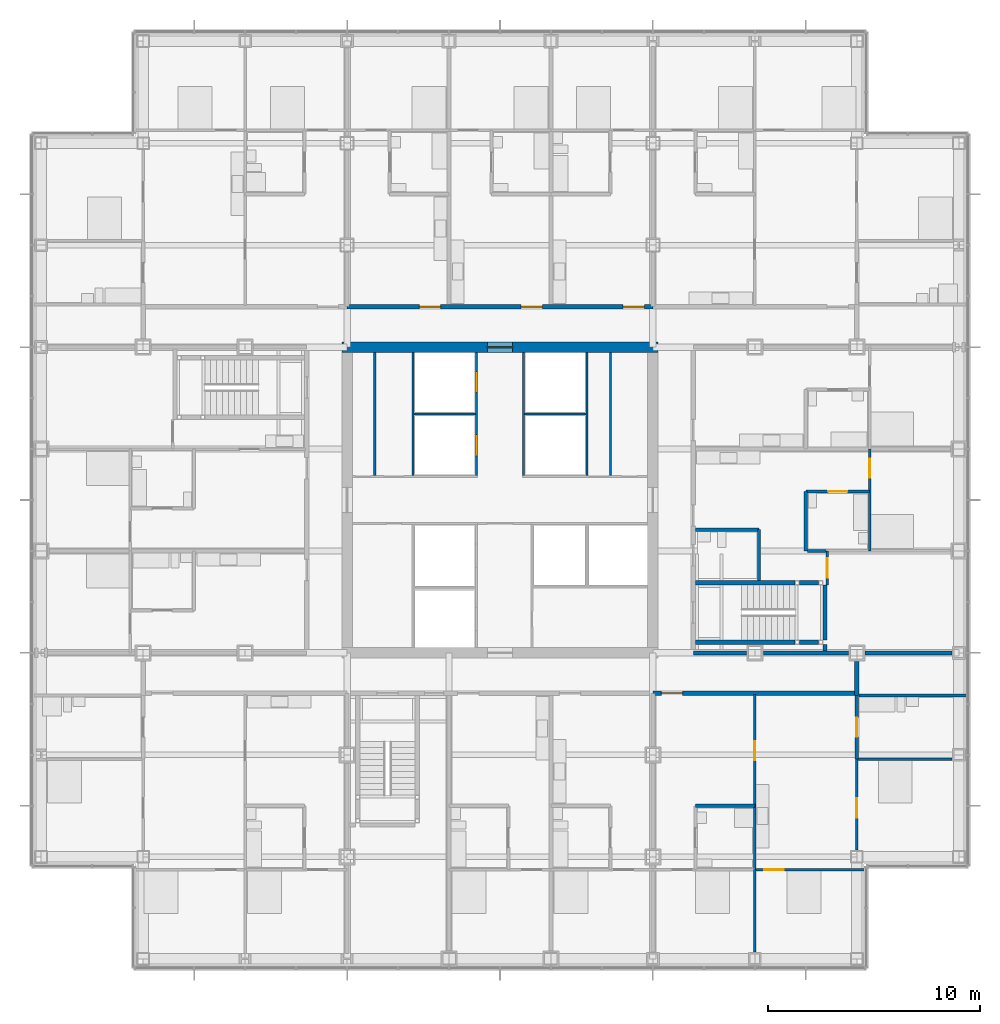
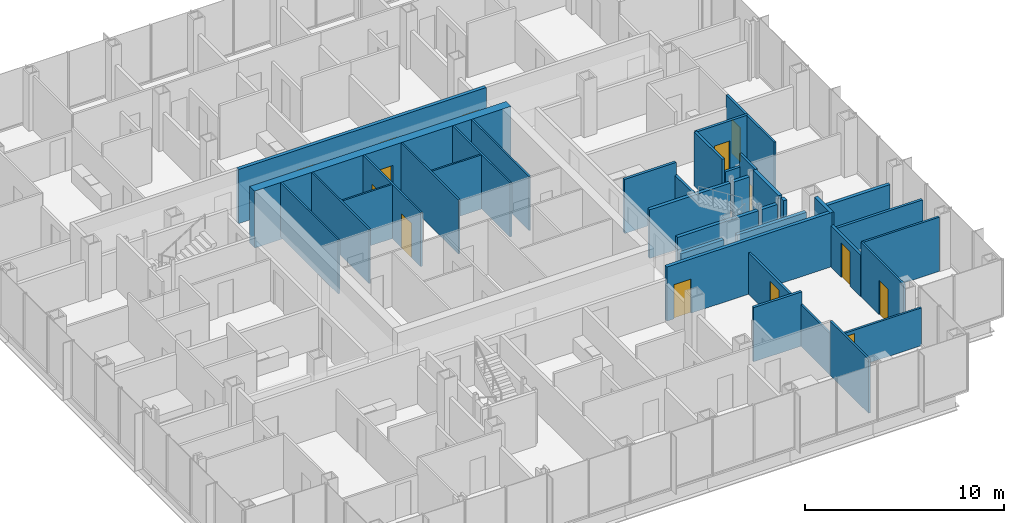
# One storey, part 16 of 21: 36 walls, 14 doors, 14 openings.
"""IFC4 building model written with IfcOpenShell, lengths in metres."""

from ifc_helpers import new_model, si_unit, direction, frame, frame_2d, origin, place, context, subcontext, project, spatial, rectangle, extrude, material, layer, layer_set, type_object, element, fill, save


model = new_model("IFC4")

# Units and contexts
model_context = context("Model", 3, precision=1e-05, world=origin(), true_north=direction((0.0, 1.0)))
body_context = subcontext(model_context, "Body", "Model", "MODEL_VIEW")
ifc_project = project(units=[si_unit("LENGTHUNIT", "METRE"), si_unit("AREAUNIT", "SQUARE_METRE"), si_unit("VOLUMEUNIT", "CUBIC_METRE"), si_unit("PLANEANGLEUNIT", "RADIAN"), si_unit("MASSUNIT", "GRAM", prefix="KILO")], contexts=[model_context])

# Site, building, storey
site_placement = place(None, origin())
site = spatial("IfcSite", under=ifc_project, at=site_placement, CompositionType="ELEMENT")
building_placement = place(site_placement, origin())
building = spatial("IfcBuilding", under=site, at=building_placement, Name="Kvirike Care Tower", CompositionType="ELEMENT")
storey_placement = place(building_placement, frame((0.0, 0.0, 48.0)))
storey = spatial("IfcBuildingStorey", under=building, at=storey_placement, Name="L12", CompositionType="ELEMENT", Elevation=48.0)

# Wall
ifc_material_1 = material(Name="Moisture-resistant board partition", Category="gypsum")
ifc_layer_1 = layer(ifc_material_1, 0.14990234375)
ifc_layer_set_1 = layer_set([ifc_layer_1], Name="BATHROOM WALL 150")
wall_type_1 = type_object("IfcWallType", Name="BATHROOM WALL 150", PredefinedType="PARTITIONING", material=ifc_layer_set_1)
wall_1_placement = place(storey_placement, frame((30.800048828125, 21.60009765625, 0.0), z_axis=(0.0, 0.0, 1.0), x_axis=(1.0, 0.0, 0.0)))
element("IfcWall", 1, at=wall_1_placement, inside=storey, type_object=wall_type_1, Name="Bathroom Wall 150 L12", PredefinedType="PARTITIONING", context=body_context, shape_type="SweptSolid", body=[
    extrude(rectangle(XDim=2.800048828125, YDim=0.14990234375, at=frame_2d((1.39990234375, 0.0))), origin(), (0.0, 0.0, 1.0), 3.330078125),
])

# Wall, opening, door
wall_2_placement = place(storey_placement, frame((38.39990234375, 23.800048828125, 0.0), z_axis=(0.0, 0.0, 1.0), x_axis=(0.0, 1.0, 0.0)))
wall_2 = element("IfcWall", 2, at=wall_2_placement, inside=storey, type_object=wall_type_1, Name="Bathroom Wall 150 L12", PredefinedType="PARTITIONING", context=body_context, shape_type="SweptSolid", body=[
    extrude(rectangle(XDim=3.0, YDim=0.14990234375, at=frame_2d((1.5, 0.0))), origin(), (0.0, 0.0, 1.0), 2.550048828125),
])
opening_1_placement = place(wall_2_placement, frame((1.050048828125, 0.0, 0.0)))
opening_1 = element("IfcOpeningElement", 3, at=opening_1_placement, cuts=wall_2, Name="Opening 12-042", PredefinedType="OPENING", context=body_context, shape_type="SweptSolid", body=[
    extrude(rectangle(XDim=0.89990234375, YDim=2.10009765625, at=frame_2d((0.449951171875, 1.050048828125))), frame((0.0, 0.08544921875, 0.0), z_axis=(0.0, -1.0, 0.0), x_axis=(1.0, 0.0, 0.0)), (0.0, 0.0, 1.0), 0.1708984375),
])
ifc_material_2 = material(Name="Timber door set", Category="wood")
door_type_1 = type_object("IfcDoorType", Name="BATHROOM DOOR 900", OperationType="SINGLE_SWING_RIGHT", PredefinedType="DOOR", material=ifc_material_2)
door_1_placement = place(opening_1_placement, frame((0.89990234375, 0.0, 0.0), z_axis=(0.0, 0.0, 1.0), x_axis=(-1.0, 0.0, 0.0)))
door_1 = element("IfcDoor", 4, at=door_1_placement, inside=storey, type_object=door_type_1, Name="Bathroom door", OperationType="SINGLE_SWING_LEFT", OverallHeight=2.10009765625, OverallWidth=0.89990234375, PredefinedType="DOOR", context=body_context, shape_type="SweptSolid", body=[
    extrude(rectangle(XDim=0.89990234375, YDim=2.10009765625, at=frame_2d((0.449951171875, 1.050048828125))), frame((0.0, 0.02197265625, 0.0), z_axis=(0.0, -1.0, 0.0), x_axis=(1.0, 0.0, 0.0)), (0.0, 0.0, 1.0), 0.0439453125),
])
fill(opening_1, door_1)

# Walls
wall_3_placement = place(storey_placement, frame((33.800048828125, 32.199951171875, 0.0), z_axis=(0.0, 0.0, 1.0), x_axis=(0.0, 1.0, 0.0)))
element("IfcWall", 5, at=wall_3_placement, inside=storey, type_object=wall_type_1, Name="Bathroom Wall 150 L12", PredefinedType="PARTITIONING", context=body_context, shape_type="SweptSolid", body=[
    extrude(rectangle(XDim=2.400146484375, YDim=0.14990234375, at=frame_2d((1.2001953125, 0.0))), origin(), (0.0, 0.0, 1.0), 2.550048828125),
])
wall_4_placement = place(storey_placement, frame((33.800048828125, 34.60009765625, 0.0), z_axis=(0.0, 0.0, 1.0), x_axis=(-1.0, 0.0, 0.0)))
element("IfcWall", 6, at=wall_4_placement, inside=storey, type_object=wall_type_1, Name="Bathroom Wall 150 L12", PredefinedType="PARTITIONING", context=body_context, shape_type="SweptSolid", body=[
    extrude(rectangle(XDim=3.0, YDim=0.14990234375, at=frame_2d((1.5, 0.0))), origin(), (0.0, 0.0, 1.0), 3.330078125),
])

# Wall, opening, door
wall_5_placement = place(storey_placement, frame((39.0, 36.39990234375, 0.0), z_axis=(0.0, 0.0, 1.0), x_axis=(-1.0, 0.0, 0.0)))
wall_5 = element("IfcWall", 7, at=wall_5_placement, inside=storey, type_object=wall_type_1, Name="Bathroom Wall 150 L12", PredefinedType="PARTITIONING", context=body_context, shape_type="SweptSolid", body=[
    extrude(rectangle(XDim=3.0, YDim=0.14990234375, at=frame_2d((1.5, 0.0))), origin(), (0.0, 0.0, 1.0), 3.330078125),
])
opening_2_placement = place(wall_5_placement, frame((1.050048828125, 0.0, 0.0)))
opening_2 = element("IfcOpeningElement", 8, at=opening_2_placement, cuts=wall_5, Name="Opening 12-048", PredefinedType="OPENING", context=body_context, shape_type="SweptSolid", body=[
    extrude(rectangle(XDim=0.89990234375, YDim=2.10009765625, at=frame_2d((0.449951171875, 1.050048828125))), frame((0.0, 0.08544921875, 0.0), z_axis=(0.0, -1.0, 0.0), x_axis=(1.0, 0.0, 0.0)), (0.0, 0.0, 1.0), 0.1708984375),
])
door_2_placement = place(opening_2_placement, origin())
door_2 = element("IfcDoor", 9, at=door_2_placement, inside=storey, type_object=door_type_1, Name="Bathroom door", OperationType="SINGLE_SWING_RIGHT", OverallHeight=2.10009765625, OverallWidth=0.89990234375, PredefinedType="DOOR", context=body_context, shape_type="SweptSolid", body=[
    extrude(rectangle(XDim=0.89990234375, YDim=2.10009765625, at=frame_2d((0.449951171875, 1.050048828125))), frame((0.0, 0.02197265625, 0.0), z_axis=(0.0, -1.0, 0.0), x_axis=(1.0, 0.0, 0.0)), (0.0, 0.0, 1.0), 0.0439453125),
])
fill(opening_2, door_2)

# Walls
wall_6_placement = place(storey_placement, frame((36.0, 33.60009765625, 0.0), z_axis=(0.0, 0.0, 1.0), x_axis=(0.0, 1.0, 0.0)))
element("IfcWall", 10, at=wall_6_placement, inside=storey, type_object=wall_type_1, Name="Bathroom Wall 150 L12", PredefinedType="PARTITIONING", context=body_context, shape_type="SweptSolid", body=[
    extrude(rectangle(XDim=2.7998046875, YDim=0.14990234375, at=frame_2d((1.39990234375, 0.0))), origin(), (0.0, 0.0, 1.0), 3.330078125),
])
wall_7_placement = place(storey_placement, frame((38.5, 26.800048828125, 0.0), z_axis=(0.0, 0.0, 1.0), x_axis=(1.0, 0.0, 0.0)))
element("IfcWall", 11, at=wall_7_placement, inside=storey, type_object=wall_type_1, Name="Bathroom Wall 150 L12", PredefinedType="PARTITIONING", context=body_context, shape_type="SweptSolid", body=[
    extrude(rectangle(XDim=5.1298828125, YDim=0.14990234375, at=frame_2d((2.56494140625, 0.0))), origin(), (0.0, 0.0, 1.0), 2.320068359375),
])
wall_8_placement = place(storey_placement, frame((36.93994140625, 33.60009765625, 0.0), z_axis=(0.0, 0.0, 1.0), x_axis=(-1.0, 0.0, 0.0)))
element("IfcWall", 12, at=wall_8_placement, inside=storey, type_object=wall_type_1, Name="Bathroom Wall 150 L12", PredefinedType="PARTITIONING", context=body_context, shape_type="SweptSolid", body=[
    extrude(rectangle(XDim=0.864990234375, YDim=0.14990234375, at=frame_2d((0.4326171875, 0.0))), origin(), (0.0, 0.0, 1.0), 2.550048828125),
])

# Wall, opening, door
ifc_material_3 = material(Name="Concrete C60/75", Category="concrete")
ifc_layer_2 = layer(ifc_material_3, 0.5)
ifc_layer_set_2 = layer_set([ifc_layer_2], Name="CORE WALL 500 C60-75")
wall_type_2 = type_object("IfcWallType", Name="CORE WALL 500 C60-75", PredefinedType="SHEAR", material=ifc_layer_set_2)
wall_9_placement = place(storey_placement, frame((29.050048828125, 43.199951171875, -0.169921875), z_axis=(0.0, 0.0, 1.0), x_axis=(-1.0, 0.0, 0.0)))
wall_9 = element("IfcWall", 13, at=wall_9_placement, inside=storey, type_object=wall_type_2, Name="Core wall N L12", PredefinedType="SHEAR", context=body_context, shape_type="SweptSolid", body=[
    extrude(rectangle(XDim=14.900146484375, YDim=0.5, at=frame_2d((7.4501953125, 0.0))), origin(), (0.0, 0.0, 1.0), 3.5),
])
opening_3_placement = place(wall_9_placement, frame((6.85009765625, 0.0, 0.169921875)))
opening_3 = element("IfcOpeningElement", 14, at=opening_3_placement, cuts=wall_9, Name="Opening 12-078", PredefinedType="OPENING", context=body_context, shape_type="SweptSolid", body=[
    extrude(rectangle(XDim=1.199951171875, YDim=2.10009765625, at=frame_2d((0.60009765625, 1.050048828125))), frame((0.0, 0.260498046875, 0.0), z_axis=(0.0, -1.0, 0.0), x_axis=(1.0, 0.0, 0.0)), (0.0, 0.0, 1.0), 0.52099609375),
])
ifc_material_4 = material(Name="Timber door set", Category="wood")
door_type_2 = type_object("IfcDoorType", Name="CORE DOOR 1200", OperationType="SINGLE_SWING_LEFT", PredefinedType="DOOR", material=ifc_material_4)
door_3_placement = place(opening_3_placement, origin())
door_3 = element("IfcDoor", 15, at=door_3_placement, inside=storey, type_object=door_type_2, Name="Core door N L12", OperationType="SINGLE_SWING_LEFT", OverallHeight=2.10009765625, OverallWidth=1.199951171875, PredefinedType="DOOR", context=body_context, shape_type="SweptSolid", body=[
    extrude(rectangle(XDim=1.199951171875, YDim=2.10009765625, at=frame_2d((0.60009765625, 1.050048828125))), frame((0.0, 0.02685546875, 0.0), z_axis=(0.0, -1.0, 0.0), x_axis=(1.0, 0.0, 0.0)), (0.0, 0.0, 1.0), 0.053955078125),
])
fill(opening_3, door_3)

# Wall, openings, doors
ifc_material_5 = material(Name="Plasterboard corridor wall", Category="gypsum")
ifc_layer_3 = layer(ifc_material_5, 0.199951171875)
ifc_layer_set_3 = layer_set([ifc_layer_3], Name="CORRIDOR WALL 200")
wall_type_3 = type_object("IfcWallType", Name="CORRIDOR WALL 200", PredefinedType="PARTITIONING", material=ifc_layer_set_3)
wall_10_placement = place(storey_placement, frame((28.800048828125, 45.10009765625, 0.0), z_axis=(0.0, 0.0, 1.0), x_axis=(-1.0, 0.0, 0.0)))
wall_10 = element("IfcWall", 16, at=wall_10_placement, inside=storey, type_object=wall_type_3, Name="Corridor Wall 200 L12", PredefinedType="PARTITIONING", context=body_context, shape_type="SweptSolid", body=[
    extrude(rectangle(XDim=14.400146484375, YDim=0.199951171875, at=frame_2d((7.2001953125, 0.0))), origin(), (0.0, 0.0, 1.0), 3.330078125),
])
opening_4_placement = place(wall_10_placement, frame((0.39990234375, 0.0, 0.0)))
opening_4 = element("IfcOpeningElement", 17, at=opening_4_placement, cuts=wall_10, Name="Opening 12-038", PredefinedType="OPENING", context=body_context, shape_type="SweptSolid", body=[
    extrude(rectangle(XDim=1.0, YDim=2.10009765625, at=frame_2d((0.5, 1.050048828125))), frame((0.0, 0.110595703125, 0.0), z_axis=(0.0, -1.0, 0.0), x_axis=(1.0, 0.0, 0.0)), (0.0, 0.0, 1.0), 0.220947265625),
])
opening_5_placement = place(wall_10_placement, frame((5.199951171875, 0.0, 0.0)))
opening_5 = element("IfcOpeningElement", 18, at=opening_5_placement, cuts=wall_10, Name="Opening 12-039", PredefinedType="OPENING", context=body_context, shape_type="SweptSolid", body=[
    extrude(rectangle(XDim=1.0, YDim=2.10009765625, at=frame_2d((0.5, 1.050048828125))), frame((0.0, 0.110595703125, 0.0), z_axis=(0.0, -1.0, 0.0), x_axis=(1.0, 0.0, 0.0)), (0.0, 0.0, 1.0), 0.220947265625),
])
opening_6_placement = place(wall_10_placement, frame((10.0, 0.0, 0.0)))
opening_6 = element("IfcOpeningElement", 19, at=opening_6_placement, cuts=wall_10, Name="Opening 12-040", PredefinedType="OPENING", context=body_context, shape_type="SweptSolid", body=[
    extrude(rectangle(XDim=1.0, YDim=2.10009765625, at=frame_2d((0.5, 1.050048828125))), frame((0.0, 0.110595703125, 0.0), z_axis=(0.0, -1.0, 0.0), x_axis=(1.0, 0.0, 0.0)), (0.0, 0.0, 1.0), 0.220947265625),
])
ifc_material_6 = material(Name="Timber door set", Category="wood")
door_type_3 = type_object("IfcDoorType", Name="FLAT ENTRANCE DOOR 1000", OperationType="SINGLE_SWING_LEFT", PredefinedType="DOOR", material=ifc_material_6)
door_4_placement = place(opening_4_placement, frame((1.0, 0.0, 0.0), z_axis=(0.0, 0.0, 1.0), x_axis=(-1.0, 0.0, 0.0)))
door_4 = element("IfcDoor", 20, at=door_4_placement, inside=storey, type_object=door_type_3, Name="Studio apartment entrance", OperationType="SINGLE_SWING_LEFT", OverallHeight=2.10009765625, OverallWidth=1.0, PredefinedType="DOOR", context=body_context, shape_type="SweptSolid", body=[
    extrude(rectangle(XDim=1.0, YDim=2.10009765625, at=frame_2d((0.5, 1.050048828125))), frame((0.0, 0.02685546875, 0.0), z_axis=(0.0, -1.0, 0.0), x_axis=(1.0, 0.0, 0.0)), (0.0, 0.0, 1.0), 0.053955078125),
])
fill(opening_4, door_4)
door_5_placement = place(opening_5_placement, frame((1.0, 0.0, 0.0), z_axis=(0.0, 0.0, 1.0), x_axis=(-1.0, 0.0, 0.0)))
door_5 = element("IfcDoor", 21, at=door_5_placement, inside=storey, type_object=door_type_3, Name="Studio apartment entrance", OperationType="SINGLE_SWING_LEFT", OverallHeight=2.10009765625, OverallWidth=1.0, PredefinedType="DOOR", context=body_context, shape_type="SweptSolid", body=[
    extrude(rectangle(XDim=1.0, YDim=2.10009765625, at=frame_2d((0.5, 1.050048828125))), frame((0.0, 0.02685546875, 0.0), z_axis=(0.0, -1.0, 0.0), x_axis=(1.0, 0.0, 0.0)), (0.0, 0.0, 1.0), 0.053955078125),
])
fill(opening_5, door_5)
door_6_placement = place(opening_6_placement, frame((1.0, 0.0, 0.0), z_axis=(0.0, 0.0, 1.0), x_axis=(-1.0, 0.0, 0.0)))
door_6 = element("IfcDoor", 22, at=door_6_placement, inside=storey, type_object=door_type_3, Name="Studio apartment entrance", OperationType="SINGLE_SWING_LEFT", OverallHeight=2.10009765625, OverallWidth=1.0, PredefinedType="DOOR", context=body_context, shape_type="SweptSolid", body=[
    extrude(rectangle(XDim=1.0, YDim=2.10009765625, at=frame_2d((0.5, 1.050048828125))), frame((0.0, 0.02685546875, 0.0), z_axis=(0.0, -1.0, 0.0), x_axis=(1.0, 0.0, 0.0)), (0.0, 0.0, 1.0), 0.053955078125),
])
fill(opening_6, door_6)

# Wall, opening, door
wall_11_placement = place(storey_placement, frame((28.800048828125, 26.89990234375, 0.0), z_axis=(0.0, 0.0, 1.0), x_axis=(1.0, 0.0, 0.0)))
wall_11 = element("IfcWall", 23, at=wall_11_placement, inside=storey, type_object=wall_type_3, Name="Corridor Wall 200 L12", PredefinedType="PARTITIONING", context=body_context, shape_type="SweptSolid", body=[
    extrude(rectangle(XDim=9.599853515625, YDim=0.199951171875, at=frame_2d((4.7998046875, 0.0))), origin(), (0.0, 0.0, 1.0), 3.330078125),
])
opening_7_placement = place(wall_11_placement, frame((0.39990234375, 0.0, 0.0)))
opening_7 = element("IfcOpeningElement", 24, at=opening_7_placement, cuts=wall_11, Name="Opening 12-047", PredefinedType="OPENING", context=body_context, shape_type="SweptSolid", body=[
    extrude(rectangle(XDim=1.0, YDim=2.10009765625, at=frame_2d((0.5, 1.050048828125))), frame((0.0, 0.110595703125, 0.0), z_axis=(0.0, -1.0, 0.0), x_axis=(1.0, 0.0, 0.0)), (0.0, 0.0, 1.0), 0.220947265625),
])
door_7_placement = place(opening_7_placement, frame((1.0, 0.0, 0.0), z_axis=(0.0, 0.0, 1.0), x_axis=(-1.0, 0.0, 0.0)))
door_7 = element("IfcDoor", 25, at=door_7_placement, inside=storey, type_object=door_type_3, Name="Three-bedroom corner apartment entrance", OperationType="SINGLE_SWING_RIGHT", OverallHeight=2.10009765625, OverallWidth=1.0, PredefinedType="DOOR", context=body_context, shape_type="SweptSolid", body=[
    extrude(rectangle(XDim=1.0, YDim=2.10009765625, at=frame_2d((0.5, 1.050048828125))), frame((0.0, 0.02685546875, 0.0), z_axis=(0.0, -1.0, 0.0), x_axis=(1.0, 0.0, 0.0)), (0.0, 0.0, 1.0), 0.053955078125),
])
fill(opening_7, door_7)

# Wall
wall_12_placement = place(storey_placement, frame((38.39990234375, 26.800048828125, 0.0), z_axis=(0.0, 0.0, 1.0), x_axis=(0.0, 1.0, 0.0)))
element("IfcWall", 26, at=wall_12_placement, inside=storey, type_object=wall_type_3, Name="Corridor Wall 200 L12", PredefinedType="PARTITIONING", context=body_context, shape_type="SweptSolid", body=[
    extrude(rectangle(XDim=1.60498046875, YDim=0.199951171875, at=frame_2d((0.802490234375, 0.0))), origin(), (0.0, 0.0, 1.0), 3.330078125),
])

# Wall, opening, door
ifc_material_7 = material(Name="Plasterboard partition", Category="gypsum")
ifc_layer_4 = layer(ifc_material_7, 0.1201171875)
ifc_layer_set_4 = layer_set([ifc_layer_4], Name="PARTITION 120")
wall_type_4 = type_object("IfcWallType", Name="PARTITION 120", PredefinedType="PARTITIONING", material=ifc_layer_set_4)
wall_13_placement = place(storey_placement, frame((33.60009765625, 18.60009765625, 0.0), z_axis=(0.0, 0.0, 1.0), x_axis=(0.0, 1.0, 0.0)))
wall_13 = element("IfcWall", 27, at=wall_13_placement, inside=storey, type_object=wall_type_4, Name="Partition 120 L12", PredefinedType="PARTITIONING", context=body_context, shape_type="SweptSolid", body=[
    extrude(rectangle(XDim=8.25, YDim=0.1201171875, at=frame_2d((4.125, 0.0))), origin(), (0.0, 0.0, 1.0), 2.550048828125),
])
opening_8_placement = place(wall_13_placement, frame((5.14990234375, 0.0, 0.0)))
opening_8 = element("IfcOpeningElement", 28, at=opening_8_placement, cuts=wall_13, Name="Opening 12-043", PredefinedType="OPENING", context=body_context, shape_type="SweptSolid", body=[
    extrude(rectangle(XDim=0.89990234375, YDim=2.10009765625, at=frame_2d((0.449951171875, 1.050048828125))), frame((0.0, 0.070556640625, 0.0), z_axis=(0.0, -1.0, 0.0), x_axis=(1.0, 0.0, 0.0)), (0.0, 0.0, 1.0), 0.14111328125),
])
ifc_material_8 = material(Name="Timber door set", Category="wood")
door_type_4 = type_object("IfcDoorType", Name="INTERNAL DOOR 900", OperationType="SINGLE_SWING_LEFT", PredefinedType="DOOR", material=ifc_material_8)
door_8_placement = place(opening_8_placement, origin())
door_8 = element("IfcDoor", 29, at=door_8_placement, inside=storey, type_object=door_type_4, Name="Hall door", OperationType="SINGLE_SWING_LEFT", OverallHeight=2.10009765625, OverallWidth=0.89990234375, PredefinedType="DOOR", context=body_context, shape_type="SweptSolid", body=[
    extrude(rectangle(XDim=0.89990234375, YDim=2.10009765625, at=frame_2d((0.449951171875, 1.050048828125))), frame((0.0, 0.02197265625, 0.0), z_axis=(0.0, -1.0, 0.0), x_axis=(1.0, 0.0, 0.0)), (0.0, 0.0, 1.0), 0.0439453125),
])
fill(opening_8, door_8)

wall_14_placement = place(storey_placement, frame((33.60009765625, 18.60009765625, 0.0), z_axis=(0.0, 0.0, 1.0), x_axis=(1.0, 0.0, 0.0)))
wall_14 = element("IfcWall", 30, at=wall_14_placement, inside=storey, type_object=wall_type_4, Name="Partition 120 L12", PredefinedType="PARTITIONING", context=body_context, shape_type="SweptSolid", body=[
    extrude(rectangle(XDim=5.23486328125, YDim=0.1201171875, at=frame_2d((2.617431640625, 0.0))), origin(), (0.0, 0.0, 1.0), 2.320068359375),
])
opening_9_placement = place(wall_14_placement, frame((0.449951171875, 0.0, 0.0)))
opening_9 = element("IfcOpeningElement", 31, at=opening_9_placement, cuts=wall_14, Name="Opening 12-045", PredefinedType="OPENING", context=body_context, shape_type="SweptSolid", body=[
    extrude(rectangle(XDim=0.89990234375, YDim=2.10009765625, at=frame_2d((0.449951171875, 1.050048828125))), frame((0.0, 0.070556640625, 0.0), z_axis=(0.0, -1.0, 0.0), x_axis=(1.0, 0.0, 0.0)), (0.0, 0.0, 1.0), 0.14111328125),
])
door_9_placement = place(opening_9_placement, frame((0.89990234375, 0.0, 0.0), z_axis=(0.0, 0.0, 1.0), x_axis=(-1.0, 0.0, 0.0)))
door_9 = element("IfcDoor", 32, at=door_9_placement, inside=storey, type_object=door_type_4, Name="Apartment bedroom door", OperationType="SINGLE_SWING_LEFT", OverallHeight=2.10009765625, OverallWidth=0.89990234375, PredefinedType="DOOR", context=body_context, shape_type="SweptSolid", body=[
    extrude(rectangle(XDim=0.89990234375, YDim=2.10009765625, at=frame_2d((0.449951171875, 1.050048828125))), frame((0.0, 0.02197265625, 0.0), z_axis=(0.0, -1.0, 0.0), x_axis=(1.0, 0.0, 0.0)), (0.0, 0.0, 1.0), 0.0439453125),
])
fill(opening_9, door_9)

# Walls
wall_15_placement = place(storey_placement, frame((38.39990234375, 23.800048828125, 0.0), z_axis=(0.0, 0.0, 1.0), x_axis=(1.0, 0.0, 0.0)))
element("IfcWall", 33, at=wall_15_placement, inside=storey, type_object=wall_type_4, Name="Partition 120 L12", PredefinedType="PARTITIONING", context=body_context, shape_type="SweptSolid", body=[
    extrude(rectangle(XDim=4.47998046875, YDim=0.1201171875, at=frame_2d((2.239990234375, 0.0))), origin(), (0.0, 0.0, 1.0), 3.330078125),
])
wall_16_placement = place(storey_placement, frame((33.60009765625, 14.719970703125, 0.0), z_axis=(0.0, 0.0, 1.0), x_axis=(0.0, 1.0, 0.0)))
element("IfcWall", 34, at=wall_16_placement, inside=storey, type_object=wall_type_4, Name="Partition 120 L12", PredefinedType="PARTITIONING", context=body_context, shape_type="SweptSolid", body=[
    extrude(rectangle(XDim=3.880126953125, YDim=0.1201171875, at=frame_2d((1.93994140625, 0.0))), origin(), (0.0, 0.0, 1.0), 3.330078125),
])

# Wall, opening, door
wall_17_placement = place(storey_placement, frame((38.39990234375, 19.52001953125, 0.0), z_axis=(0.0, 0.0, 1.0), x_axis=(0.0, 1.0, 0.0)))
wall_17 = element("IfcWall", 35, at=wall_17_placement, inside=storey, type_object=wall_type_4, Name="Partition 120 L12", PredefinedType="PARTITIONING", context=body_context, shape_type="SweptSolid", body=[
    extrude(rectangle(XDim=4.280029296875, YDim=0.1201171875, at=frame_2d((2.14013671875, 0.0))), origin(), (0.0, 0.0, 1.0), 3.330078125),
])
opening_10_placement = place(wall_17_placement, frame((1.530029296875, 0.0, 0.0)))
opening_10 = element("IfcOpeningElement", 36, at=opening_10_placement, cuts=wall_17, Name="Opening 12-046", PredefinedType="OPENING", context=body_context, shape_type="SweptSolid", body=[
    extrude(rectangle(XDim=0.89990234375, YDim=2.10009765625, at=frame_2d((0.449951171875, 1.050048828125))), frame((0.0, 0.070556640625, 0.0), z_axis=(0.0, -1.0, 0.0), x_axis=(1.0, 0.0, 0.0)), (0.0, 0.0, 1.0), 0.14111328125),
])
door_10_placement = place(opening_10_placement, frame((0.89990234375, 0.0, 0.0), z_axis=(0.0, 0.0, 1.0), x_axis=(-1.0, 0.0, 0.0)))
door_10 = element("IfcDoor", 37, at=door_10_placement, inside=storey, type_object=door_type_4, Name="Connecting door", OperationType="SINGLE_SWING_LEFT", OverallHeight=2.10009765625, OverallWidth=0.89990234375, PredefinedType="DOOR", context=body_context, shape_type="SweptSolid", body=[
    extrude(rectangle(XDim=0.89990234375, YDim=2.10009765625, at=frame_2d((0.449951171875, 1.050048828125))), frame((0.0, 0.02197265625, 0.0), z_axis=(0.0, -1.0, 0.0), x_axis=(1.0, 0.0, 0.0)), (0.0, 0.0, 1.0), 0.0439453125),
])
fill(opening_10, door_10)

wall_18_placement = place(storey_placement, frame((37.0, 32.0, 0.0), z_axis=(0.0, 0.0, 1.0), x_axis=(0.0, 1.0, 0.0)))
wall_18 = element("IfcWall", 38, at=wall_18_placement, inside=storey, type_object=wall_type_4, Name="Partition 120 L12", PredefinedType="PARTITIONING", context=body_context, shape_type="SweptSolid", body=[
    extrude(rectangle(XDim=1.60009765625, YDim=0.1201171875, at=frame_2d((0.800048828125, 0.0))), origin(), (0.0, 0.0, 1.0), 3.330078125),
])
opening_11_placement = place(wall_18_placement, frame((0.35009765625, 0.0, 0.0)))
opening_11 = element("IfcOpeningElement", 39, at=opening_11_placement, cuts=wall_18, Name="Opening 12-049", PredefinedType="OPENING", context=body_context, shape_type="SweptSolid", body=[
    extrude(rectangle(XDim=0.89990234375, YDim=2.10009765625, at=frame_2d((0.449951171875, 1.050048828125))), frame((0.0, 0.070556640625, 0.0), z_axis=(0.0, -1.0, 0.0), x_axis=(1.0, 0.0, 0.0)), (0.0, 0.0, 1.0), 0.14111328125),
])
door_11_placement = place(opening_11_placement, frame((0.89990234375, 0.0, 0.0), z_axis=(0.0, 0.0, 1.0), x_axis=(-1.0, 0.0, 0.0)))
door_11 = element("IfcDoor", 40, at=door_11_placement, inside=storey, type_object=door_type_4, Name="Apartment living room door", OperationType="SINGLE_SWING_RIGHT", OverallHeight=2.10009765625, OverallWidth=0.89990234375, PredefinedType="DOOR", context=body_context, shape_type="SweptSolid", body=[
    extrude(rectangle(XDim=0.89990234375, YDim=2.10009765625, at=frame_2d((0.449951171875, 1.050048828125))), frame((0.0, 0.02197265625, 0.0), z_axis=(0.0, -1.0, 0.0), x_axis=(1.0, 0.0, 0.0)), (0.0, 0.0, 1.0), 0.0439453125),
])
fill(opening_11, door_11)

wall_19_placement = place(storey_placement, frame((39.0, 33.60009765625, 0.0), z_axis=(0.0, 0.0, 1.0), x_axis=(0.0, 1.0, 0.0)))
wall_19 = element("IfcWall", 41, at=wall_19_placement, inside=storey, type_object=wall_type_4, Name="Partition 120 L12", PredefinedType="PARTITIONING", context=body_context, shape_type="SweptSolid", body=[
    extrude(rectangle(XDim=4.7998046875, YDim=0.1201171875, at=frame_2d((2.39990234375, 0.0))), origin(), (0.0, 0.0, 1.0), 3.330078125),
])
opening_12_placement = place(wall_19_placement, frame((3.449951171875, 0.0, 0.0)))
opening_12 = element("IfcOpeningElement", 42, at=opening_12_placement, cuts=wall_19, Name="Opening 12-050", PredefinedType="OPENING", context=body_context, shape_type="SweptSolid", body=[
    extrude(rectangle(XDim=0.89990234375, YDim=2.10009765625, at=frame_2d((0.449951171875, 1.050048828125))), frame((0.0, 0.070556640625, 0.0), z_axis=(0.0, -1.0, 0.0), x_axis=(1.0, 0.0, 0.0)), (0.0, 0.0, 1.0), 0.14111328125),
])
door_12_placement = place(opening_12_placement, frame((0.89990234375, 0.0, 0.0), z_axis=(0.0, 0.0, 1.0), x_axis=(-1.0, 0.0, 0.0)))
door_12 = element("IfcDoor", 43, at=door_12_placement, inside=storey, type_object=door_type_4, Name="Apartment bedroom door", OperationType="SINGLE_SWING_RIGHT", OverallHeight=2.10009765625, OverallWidth=0.89990234375, PredefinedType="DOOR", context=body_context, shape_type="SweptSolid", body=[
    extrude(rectangle(XDim=0.89990234375, YDim=2.10009765625, at=frame_2d((0.449951171875, 1.050048828125))), frame((0.0, 0.02197265625, 0.0), z_axis=(0.0, -1.0, 0.0), x_axis=(1.0, 0.0, 0.0)), (0.0, 0.0, 1.0), 0.0439453125),
])
fill(opening_12, door_12)

# Walls
ifc_material_9 = material(Name="Plasterboard party wall", Category="gypsum")
ifc_layer_5 = layer(ifc_material_9, 0.199951171875)
ifc_layer_set_5 = layer_set([ifc_layer_5], Name="PARTY WALL 200")
wall_type_5 = type_object("IfcWallType", Name="PARTY WALL 200", PredefinedType="PARTITIONING", material=ifc_layer_set_5)
wall_20_placement = place(storey_placement, frame((42.8798828125, 28.800048828125, 0.0), z_axis=(0.0, 0.0, 1.0), x_axis=(-1.0, 0.0, 0.0)))
element("IfcWall", 44, at=wall_20_placement, inside=storey, type_object=wall_type_5, Name="Party Wall 200 L12", PredefinedType="PARTITIONING", context=body_context, shape_type="SweptSolid", body=[
    extrude(rectangle(XDim=4.0849609375, YDim=0.199951171875, at=frame_2d((2.04248046875, 0.0))), origin(), (0.0, 0.0, 1.0), 2.320068359375),
])
wall_21_placement = place(storey_placement, frame((38.0048828125, 28.800048828125, 0.0), z_axis=(0.0, 0.0, 1.0), x_axis=(-1.0, 0.0, 0.0)))
element("IfcWall", 45, at=wall_21_placement, inside=storey, type_object=wall_type_5, Name="Party Wall 200 L12", PredefinedType="PARTITIONING", context=body_context, shape_type="SweptSolid", body=[
    extrude(rectangle(XDim=4.009765625, YDim=0.199951171875, at=frame_2d((2.0048828125, 0.0))), origin(), (0.0, 0.0, 1.0), 2.320068359375),
])
wall_22_placement = place(storey_placement, frame((33.205078125, 28.800048828125, 0.0), z_axis=(0.0, 0.0, 1.0), x_axis=(-1.0, 0.0, 0.0)))
element("IfcWall", 46, at=wall_22_placement, inside=storey, type_object=wall_type_5, Name="Party Wall 200 L12", PredefinedType="PARTITIONING", context=body_context, shape_type="SweptSolid", body=[
    extrude(rectangle(XDim=2.505126953125, YDim=0.199951171875, at=frame_2d((1.25244140625, 0.0))), origin(), (0.0, 0.0, 1.0), 2.320068359375),
])
ifc_material_10 = material(Name="Gypsum shaft wall system", Category="gypsum")
ifc_layer_6 = layer(ifc_material_10, 0.10009765625)
ifc_layer_set_6 = layer_set([ifc_layer_6], Name="SHAFT WALL 100")
wall_type_6 = type_object("IfcWallType", Name="SHAFT WALL 100", PredefinedType="SOLIDWALL", material=ifc_layer_set_6)
for number, where, z_axis, x_axis, name in (
    (47, (15.699951171875, 37.14990234375, 0.0), (0.0, 0.0, 1.0), (0.0, 1.0, 0.0), "Shaft Wall 100 L12"),
    (48, (26.800048828125, 37.14990234375, 0.0), (0.0, 0.0, 1.0), (0.0, 1.0, 0.0), "Shaft Wall 100 L12"),
):
    element("IfcWall", number, at=place(storey_placement, frame(where, z_axis=z_axis, x_axis=x_axis)), inside=storey, type_object=wall_type_6, Name=name, PredefinedType="SOLIDWALL", context=body_context, shape_type="SweptSolid", body=[
        extrude(rectangle(XDim=5.800048828125, YDim=0.10009765625, at=frame_2d((2.89990234375, 0.0))), origin(), (0.0, 0.0, 1.0), 3.330078125),
    ])

# Wall, openings, doors
wall_23_placement = place(storey_placement, frame((20.5, 37.14990234375, 0.0), z_axis=(0.0, 0.0, 1.0), x_axis=(0.0, 1.0, 0.0)))
wall_23 = element("IfcWall", 49, at=wall_23_placement, inside=storey, type_object=wall_type_6, Name="Shaft Wall 100 L12", PredefinedType="SOLIDWALL", context=body_context, shape_type="SweptSolid", body=[
    extrude(rectangle(XDim=5.800048828125, YDim=0.10009765625, at=frame_2d((2.89990234375, 0.0))), origin(), (0.0, 0.0, 1.0), 3.330078125),
])
opening_13_placement = place(wall_23_placement, frame((0.925048828125, 0.0, 0.0)))
opening_13 = element("IfcOpeningElement", 50, at=opening_13_placement, cuts=wall_23, Name="Opening 12-066", PredefinedType="OPENING", context=body_context, shape_type="SweptSolid", body=[
    extrude(rectangle(XDim=1.0, YDim=2.10009765625, at=frame_2d((0.5, 1.050048828125))), frame((0.0, 0.060546875, 0.0), z_axis=(0.0, -1.0, 0.0), x_axis=(1.0, 0.0, 0.0)), (0.0, 0.0, 1.0), 0.12109375),
])
opening_14_placement = place(wall_23_placement, frame((3.89990234375, 0.0, 0.0)))
opening_14 = element("IfcOpeningElement", 51, at=opening_14_placement, cuts=wall_23, Name="Opening 12-067", PredefinedType="OPENING", context=body_context, shape_type="SweptSolid", body=[
    extrude(rectangle(XDim=1.0, YDim=2.10009765625, at=frame_2d((0.5, 1.050048828125))), frame((0.0, 0.060546875, 0.0), z_axis=(0.0, -1.0, 0.0), x_axis=(1.0, 0.0, 0.0)), (0.0, 0.0, 1.0), 0.12109375),
])
ifc_material_11 = material(Name="Aluminium door frame", Category="aluminium")
door_type_5 = type_object("IfcDoorType", Name="LIFT LANDING DOOR 1000", OperationType="SLIDING_TO_LEFT", PredefinedType="DOOR", material=ifc_material_11)
door_13_placement = place(opening_13_placement, origin())
door_13 = element("IfcDoor", 52, at=door_13_placement, inside=storey, type_object=door_type_5, Name="Lift P1 landing door", OperationType="SLIDING_TO_LEFT", OverallHeight=2.10009765625, OverallWidth=1.0, PredefinedType="DOOR", context=body_context, shape_type="SweptSolid", body=[
    extrude(rectangle(XDim=1.0, YDim=2.10009765625, at=frame_2d((0.5, 1.050048828125))), frame((0.0, 0.0498046875, 0.0), z_axis=(0.0, -1.0, 0.0), x_axis=(1.0, 0.0, 0.0)), (0.0, 0.0, 1.0), 0.099609375),
])
fill(opening_13, door_13)
door_14_placement = place(opening_14_placement, origin())
door_14 = element("IfcDoor", 53, at=door_14_placement, inside=storey, type_object=door_type_5, Name="Lift P2 landing door", OperationType="SLIDING_TO_LEFT", OverallHeight=2.10009765625, OverallWidth=1.0, PredefinedType="DOOR", context=body_context, shape_type="SweptSolid", body=[
    extrude(rectangle(XDim=1.0, YDim=2.10009765625, at=frame_2d((0.5, 1.050048828125))), frame((0.0, 0.0498046875, 0.0), z_axis=(0.0, -1.0, 0.0), x_axis=(1.0, 0.0, 0.0)), (0.0, 0.0, 1.0), 0.099609375),
])
fill(opening_14, door_14)

# Walls
for number, where, z_axis, x_axis, name in (
    (54, (22.699951171875, 37.14990234375, 0.0), (0.0, 0.0, 1.0), (0.0, 1.0, 0.0), "Shaft Wall 100 L12"),
    (55, (17.5, 37.14990234375, 0.0), (0.0, 0.0, 1.0), (0.0, 1.0, 0.0), "Shaft Wall 100 L12"),
):
    element("IfcWall", number, at=place(storey_placement, frame(where, z_axis=z_axis, x_axis=x_axis)), inside=storey, type_object=wall_type_6, Name=name, PredefinedType="SOLIDWALL", context=body_context, shape_type="SweptSolid", body=[
        extrude(rectangle(XDim=5.800048828125, YDim=0.10009765625, at=frame_2d((2.89990234375, 0.0))), origin(), (0.0, 0.0, 1.0), 3.330078125),
    ])
for number, where, z_axis, x_axis, name in (
    (56, (17.550048828125, 40.050048828125, 0.0), (0.0, 0.0, 1.0), (1.0, 0.0, 0.0), "Shaft Wall 100 L12"),
    (57, (22.75, 40.050048828125, 0.0), (0.0, 0.0, 1.0), (1.0, 0.0, 0.0), "Shaft Wall 100 L12"),
):
    element("IfcWall", number, at=place(storey_placement, frame(where, z_axis=z_axis, x_axis=x_axis)), inside=storey, type_object=wall_type_6, Name=name, PredefinedType="SOLIDWALL", context=body_context, shape_type="SweptSolid", body=[
        extrude(rectangle(XDim=2.89990234375, YDim=0.10009765625, at=frame_2d((1.449951171875, 0.0))), origin(), (0.0, 0.0, 1.0), 3.330078125),
    ])
wall_24_placement = place(storey_placement, frame((25.699951171875, 37.14990234375, 0.0), z_axis=(0.0, 0.0, 1.0), x_axis=(0.0, 1.0, 0.0)))
element("IfcWall", 58, at=wall_24_placement, inside=storey, type_object=wall_type_6, Name="Shaft Wall 100 L12", PredefinedType="SOLIDWALL", context=body_context, shape_type="SweptSolid", body=[
    extrude(rectangle(XDim=5.800048828125, YDim=0.10009765625, at=frame_2d((2.89990234375, 0.0))), origin(), (0.0, 0.0, 1.0), 3.330078125),
])
ifc_material_12 = material(Name="Concrete C40/50", Category="concrete")
ifc_layer_7 = layer(ifc_material_12, 0.199951171875)
ifc_layer_set_7 = layer_set([ifc_layer_7], Name="STAIR WALL 200")
wall_type_7 = type_object("IfcWallType", Name="STAIR WALL 200", PredefinedType="SOLIDWALL", material=ifc_layer_set_7)
wall_25_placement = place(storey_placement, frame((36.60009765625, 29.300048828125, 0.0), z_axis=(0.0, 0.0, 1.0), x_axis=(-1.0, 0.0, 0.0)))
element("IfcWall", 59, at=wall_25_placement, inside=storey, type_object=wall_type_7, Name="Stair Wall 200 L12", PredefinedType="SOLIDWALL", context=body_context, shape_type="SweptSolid", body=[
    extrude(rectangle(XDim=0.900146484375, YDim=0.199951171875, at=frame_2d((0.4501953125, 0.0))), origin(), (0.0, 0.0, 1.0), 2.989990234375),
])
wall_26_placement = place(storey_placement, frame((35.5, 29.300048828125, 0.0), z_axis=(0.0, 0.0, 1.0), x_axis=(-1.0, 0.0, 0.0)))
element("IfcWall", 60, at=wall_26_placement, inside=storey, type_object=wall_type_7, Name="Stair Wall 200 L12", PredefinedType="SOLIDWALL", context=body_context, shape_type="SweptSolid", body=[
    extrude(rectangle(XDim=4.699951171875, YDim=0.199951171875, at=frame_2d((2.35009765625, 0.0))), origin(), (0.0, 0.0, 1.0), 2.989990234375),
])
wall_27_placement = place(storey_placement, frame((36.60009765625, 32.10009765625, 0.0), z_axis=(0.0, 0.0, 1.0), x_axis=(-1.0, 0.0, 0.0)))
element("IfcWall", 61, at=wall_27_placement, inside=storey, type_object=wall_type_7, Name="Stair Wall 200 L12", PredefinedType="SOLIDWALL", context=body_context, shape_type="SweptSolid", body=[
    extrude(rectangle(XDim=0.900146484375, YDim=0.199951171875, at=frame_2d((0.4501953125, 0.0))), origin(), (0.0, 0.0, 1.0), 2.989990234375),
])
wall_28_placement = place(storey_placement, frame((35.5, 32.10009765625, 0.0), z_axis=(0.0, 0.0, 1.0), x_axis=(-1.0, 0.0, 0.0)))
element("IfcWall", 62, at=wall_28_placement, inside=storey, type_object=wall_type_7, Name="Stair Wall 200 L12", PredefinedType="SOLIDWALL", context=body_context, shape_type="SweptSolid", body=[
    extrude(rectangle(XDim=4.699951171875, YDim=0.199951171875, at=frame_2d((2.35009765625, 0.0))), origin(), (0.0, 0.0, 1.0), 2.989990234375),
])
wall_29_placement = place(storey_placement, frame((36.89990234375, 28.89990234375, 0.0), z_axis=(0.0, 0.0, 1.0), x_axis=(0.0, 1.0, 0.0)))
element("IfcWall", 63, at=wall_29_placement, inside=storey, type_object=wall_type_7, Name="Stair Wall 200 L12", PredefinedType="SOLIDWALL", context=body_context, shape_type="SweptSolid", body=[
    extrude(rectangle(XDim=0.300048828125, YDim=0.199951171875, at=frame_2d((0.14990234375, 0.0))), origin(), (0.0, 0.0, 1.0), 3.330078125),
])
wall_30_placement = place(storey_placement, frame((36.89990234375, 29.39990234375, 0.0), z_axis=(0.0, 0.0, 1.0), x_axis=(0.0, 1.0, 0.0)))
element("IfcWall", 64, at=wall_30_placement, inside=storey, type_object=wall_type_7, Name="Stair Wall 200 L12", PredefinedType="SOLIDWALL", context=body_context, shape_type="SweptSolid", body=[
    extrude(rectangle(XDim=2.60009765625, YDim=0.199951171875, at=frame_2d((1.300048828125, 0.0))), origin(), (0.0, 0.0, 1.0), 3.330078125),
])

save(model, "model.ifc")
